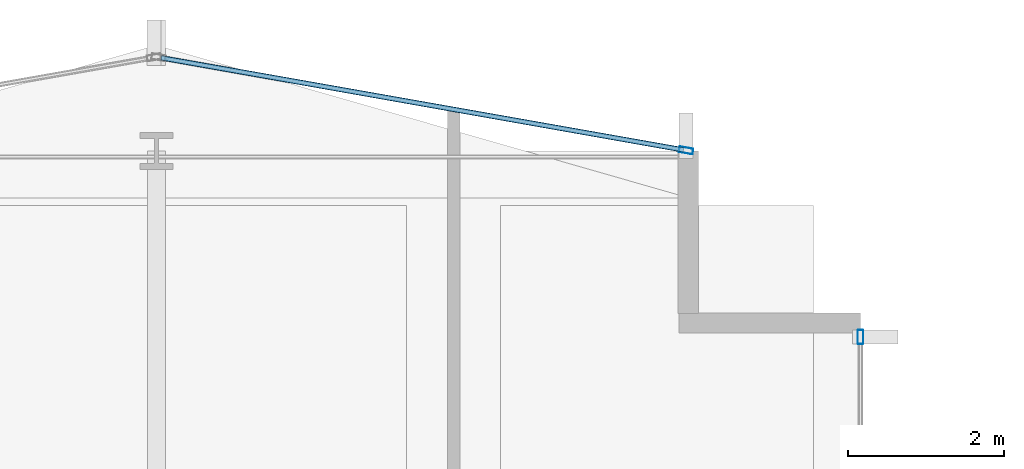
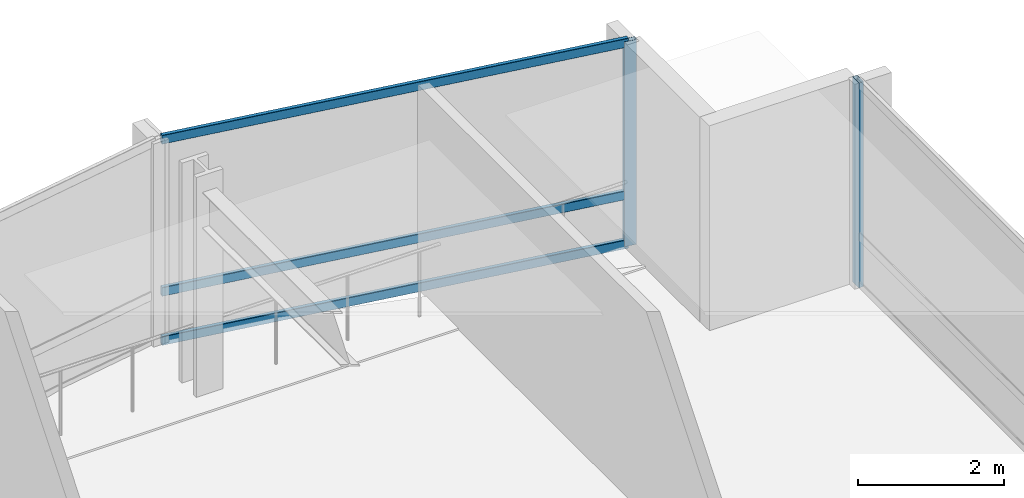
# One storey, part 24 of 34: 5 members, 2 elements without a shape of their own.
"""IFC4 building model written with IfcOpenShell, lengths in metres."""

from ifc_helpers import new_model, si_unit, direction, frame, origin, origin_2d, place, context, subcontext, project, spatial, hollow_rectangle, extrude, material, layer, layer_set, material_profile, profile_set, type_object, element, aggregate, save


model = new_model("IFC4")

# Units and contexts
model_context = context("Model", 3, precision=1e-05, world=origin(), true_north=direction((0.0, 1.0)))
body_context = subcontext(model_context, "Body", "Model", "MODEL_VIEW")
ifc_project = project(units=[si_unit("LENGTHUNIT", "METRE"), si_unit("AREAUNIT", "SQUARE_METRE"), si_unit("VOLUMEUNIT", "CUBIC_METRE"), si_unit("PLANEANGLEUNIT", "RADIAN"), si_unit("MASSUNIT", "GRAM", prefix="KILO")], contexts=[model_context])

# Site, building, storey
site_placement = place(None, origin())
site = spatial("IfcSite", under=ifc_project, at=site_placement, CompositionType="ELEMENT")
building_placement = place(site_placement, origin())
building = spatial("IfcBuilding", under=site, at=building_placement, Name="Solvaryn Broadcast Tower", CompositionType="ELEMENT")
storey_placement = place(building_placement, frame((0.0, 0.0, 69.300048828125)))
storey = spatial("IfcBuildingStorey", under=building, at=storey_placement, Name="L16", CompositionType="ELEMENT", Elevation=69.300048828125)

# Curtain wall, member
ifc_material_1 = material(Name="Aluminium and Terracotta Unitised Curtain Wall", Category="masonry")
ifc_layer = layer(ifc_material_1, 0.199951171875)
ifc_layer_set = layer_set([ifc_layer], Name="CW-SYS2-LOWMID")
curtain_wall_type = type_object("IfcCurtainWallType", Name="CW-SYS2-LOWMID", PredefinedType="NOTDEFINED", material=ifc_layer_set)
curtain_wall_1_placement = place(storey_placement, origin())
curtain_wall_1 = element("IfcCurtainWall", 1, at=curtain_wall_1_placement, inside=storey, type_object=curtain_wall_type, Name="L16 Curtain Wall IV", PredefinedType="NOTDEFINED")
ifc_material_2 = material(Name="Anodised Aluminium 6063-T6", Category="aluminium")
ifc_material_profile_1 = material_profile(ifc_material_2, hollow_rectangle(XDim=0.074951171875, YDim=0.179931640625, WallThickness=0.00390625, InnerFilletRadius=0.00390625, OuterFilletRadius=0.008056640625, at=origin_2d()))
ifc_profile_set_1 = profile_set([ifc_material_profile_1], Name="Anodised Aluminium 6063-T6")
member_type_1 = type_object("IfcMemberType", Name="CW-MUL-180", PredefinedType="MULLION", material=ifc_profile_set_1)
member_1_placement = place(storey_placement, frame((27.0, 51.6201171875, 0.0), z_axis=(0.0, 0.0, 1.0), x_axis=(1.0, 0.0, 0.0)))
member_1 = element("IfcMember", 2, at=member_1_placement, type_object=member_type_1, Name="CWS2 mullion 1", PredefinedType="MULLION", context=body_context, shape_type="SweptSolid", body=[
    extrude(hollow_rectangle(XDim=0.074951171875, YDim=0.179931640625, WallThickness=0.00390625, InnerFilletRadius=0.00390625, OuterFilletRadius=0.008056640625, at=origin_2d()), origin(), (0.0, 0.0, 1.0), 3.419921875),
])
aggregate(curtain_wall_1, [member_1])

# Curtain wall, members
curtain_wall_2_placement = place(storey_placement, origin())
curtain_wall_2 = element("IfcCurtainWall", 3, at=curtain_wall_2_placement, inside=storey, type_object=curtain_wall_type, Name="L16 Curtain Wall NT1", PredefinedType="NOTDEFINED")
member_2_placement = place(storey_placement, frame((24.7705078125, 54.005126953125, 0.0), z_axis=(0.0, 0.0, 1.0), x_axis=(-0.173785333901, -0.984783558819, 0.0)))
member_2 = element("IfcMember", 4, at=member_2_placement, type_object=member_type_1, Name="CWS2 mullion 1", PredefinedType="MULLION", context=body_context, shape_type="SweptSolid", body=[
    extrude(hollow_rectangle(XDim=0.074951171875, YDim=0.179931640625, WallThickness=0.00390625, InnerFilletRadius=0.00390625, OuterFilletRadius=0.008056640625, at=origin_2d()), origin(), (0.0, 0.0, 1.0), 3.419921875),
])
ifc_material_3 = material(Name="Anodised Aluminium 6063-T6", Category="aluminium")
ifc_material_profile_2 = material_profile(ifc_material_3, hollow_rectangle(XDim=0.06494140625, YDim=0.14990234375, WallThickness=0.00390625, InnerFilletRadius=0.00390625, OuterFilletRadius=0.008056640625, at=origin_2d()))
ifc_profile_set_2 = profile_set([ifc_material_profile_2], Name="Anodised Aluminium 6063-T6")
member_type_2 = type_object("IfcMemberType", Name="CW-TRN-150", PredefinedType="USERDEFINED", material=ifc_profile_set_2)
member_3_placement = place(storey_placement, frame((24.740966796875, 54.010498046875, 0.030029296875), z_axis=(-0.984788629673, 0.173756596613, 0.0), x_axis=(-0.173756596613, -0.984788629673, 0.0)))
member_3 = element("IfcMember", 5, at=member_3_placement, type_object=member_type_2, Name="CWS2 transom 1.1", ObjectType="TRANSOM", PredefinedType="USERDEFINED", context=body_context, shape_type="SweptSolid", body=[
    extrude(hollow_rectangle(XDim=0.06494140625, YDim=0.14990234375, WallThickness=0.00390625, InnerFilletRadius=0.00390625, OuterFilletRadius=0.008056640625, at=origin_2d()), origin(), (0.0, 0.0, 1.0), 6.78515625),
])
member_4_placement = place(storey_placement, frame((24.740966796875, 54.010498046875, 0.849853515625), z_axis=(-0.984788629673, 0.173756596613, 0.0), x_axis=(-0.173756596613, -0.984788629673, 0.0)))
member_4 = element("IfcMember", 6, at=member_4_placement, type_object=member_type_2, Name="CWS2 transom 1.2", ObjectType="TRANSOM", PredefinedType="USERDEFINED", context=body_context, shape_type="SweptSolid", body=[
    extrude(hollow_rectangle(XDim=0.06494140625, YDim=0.14990234375, WallThickness=0.00390625, InnerFilletRadius=0.00390625, OuterFilletRadius=0.008056640625, at=origin_2d()), origin(), (0.0, 0.0, 1.0), 6.78515625),
])
member_5_placement = place(storey_placement, frame((24.740966796875, 54.010498046875, 3.389892578125), z_axis=(-0.984788629673, 0.173756596613, 0.0), x_axis=(-0.173756596613, -0.984788629673, 0.0)))
member_5 = element("IfcMember", 7, at=member_5_placement, type_object=member_type_2, Name="CWS2 transom 1.3", ObjectType="TRANSOM", PredefinedType="USERDEFINED", context=body_context, shape_type="SweptSolid", body=[
    extrude(hollow_rectangle(XDim=0.06494140625, YDim=0.14990234375, WallThickness=0.00390625, InnerFilletRadius=0.00390625, OuterFilletRadius=0.008056640625, at=origin_2d()), origin(), (0.0, 0.0, 1.0), 6.78515625),
])
aggregate(curtain_wall_2, [member_2, member_3, member_4, member_5])

save(model, "model.ifc")
